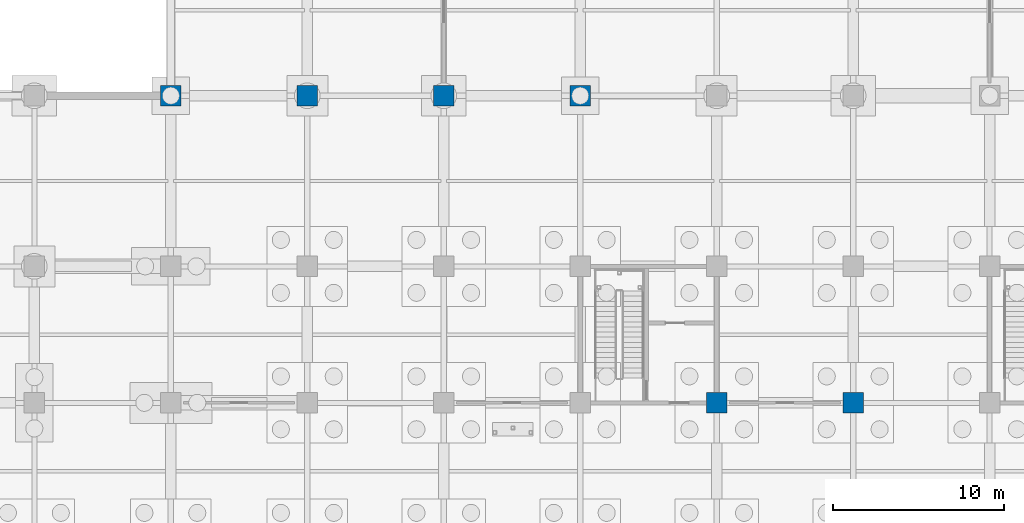
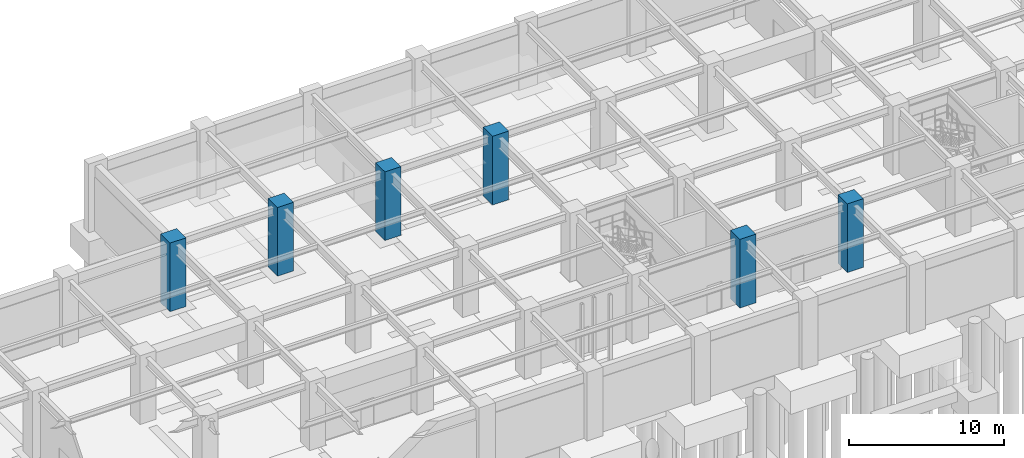
# One storey, part 53 of 97: 6 columns.
"""IFC4 building model written with IfcOpenShell, lengths in metres."""

import ifcopenshell
import ifcopenshell.guid

model = None  # the IFC model being written
_history = None  # IfcOwnerHistory: only IFC2X3 demands one
_inside = {}  # id of a spatial element -> (the spatial element, [elements in it])
_under = {}  # id of a project, library or spatial element -> (it, [spatial elements below it])
_declared = {}  # id of a project -> (the project, [libraries it declares])
_typed = {}  # id of a type object -> (the type object, [elements of that type])
_made_of = {}  # id of a material, layer set ... -> (it, [elements and type objects made of it])


def new_model(schema):
    """Start an empty IFC model of exactly this schema.

    Asked for "IFC4X3", IfcOpenShell would pick the latest addendum, in which some entities
    have other attributes; the version numbers below select the first issue.
    IFC2X3 requires an IfcOwnerHistory on every rooted entity: one is made here for all.
    """
    global model, _history
    if schema == "IFC4X3":
        model = ifcopenshell.file(schema_version=(4, 3, 0, 0))
    else:
        model = ifcopenshell.file(schema=schema)
    _inside.clear()
    _under.clear()
    _declared.clear()
    _typed.clear()
    _made_of.clear()
    _history = None
    if model.schema == "IFC2X3":
        org = make("IfcOrganization", Name="unknown")
        user = make(
            "IfcPersonAndOrganization",
            ThePerson=make("IfcPerson", FamilyName="unknown"),
            TheOrganization=org,
        )
        app = make(
            "IfcApplication",
            ApplicationDeveloper=org,
            Version="unknown",
            ApplicationFullName="unknown",
            ApplicationIdentifier="unknown",
        )
        _history = make(
            "IfcOwnerHistory",
            OwningUser=user,
            OwningApplication=app,
            ChangeAction="ADDED",
            CreationDate=0,
        )
    return model


def make(cls, **values):
    """One entity of the class cls with the attributes given. An attribute that is None is left unset."""
    return model.create_entity(
        cls, **{name: value for name, value in values.items() if value is not None}
    )


def rooted(cls, **values):
    """An entity with a GlobalId (a new one), such as an element, a storey or a relation."""
    return make(cls, GlobalId=ifcopenshell.guid.new(), OwnerHistory=_history, **values)


def si_unit(unit_type, name, prefix=None):
    """IfcSIUnit, for example si_unit("LENGTHUNIT", "METRE", prefix="MILLI")."""
    return make("IfcSIUnit", UnitType=unit_type, Prefix=prefix, Name=name)


def assignment(units):
    """IfcUnitAssignment: the units of a project."""
    return None if units is None else make("IfcUnitAssignment", Units=units)


def point(xyz):
    """IfcCartesianPoint."""
    return None if xyz is None else make("IfcCartesianPoint", Coordinates=xyz)


def direction(xyz):
    """IfcDirection."""
    return None if xyz is None else make("IfcDirection", DirectionRatios=xyz)


def frame(location, z_axis=None, x_axis=None):
    """IfcAxis2Placement3D, a coordinate frame: its origin and axes. An axis left out is left unset."""
    return make(
        "IfcAxis2Placement3D",
        Location=point(location),
        Axis=direction(z_axis),
        RefDirection=direction(x_axis),
    )


def frame_2d(location, x_axis=None):
    """IfcAxis2Placement2D, a coordinate frame in the plane: its origin and x axis."""
    return make(
        "IfcAxis2Placement2D", Location=point(location), RefDirection=direction(x_axis)
    )


def origin():
    """The frame at (0, 0, 0) with its axes left unset."""
    return frame((0.0, 0.0, 0.0))


def origin_2d():
    """The frame at (0, 0) in the plane with its x axis left unset."""
    return frame_2d((0.0, 0.0))


def place(relative_to, where):
    """IfcLocalPlacement: puts the frame where relative to a parent placement (None: the world)."""
    return make(
        "IfcLocalPlacement", PlacementRelTo=relative_to, RelativePlacement=where
    )


def context(
    kind, dimensions, precision=None, world=None, true_north=None, identifier=None
):
    """IfcGeometricRepresentationContext, for example the 3D "Model" context."""
    return make(
        "IfcGeometricRepresentationContext",
        ContextIdentifier=identifier,
        ContextType=kind,
        CoordinateSpaceDimension=dimensions,
        Precision=precision,
        WorldCoordinateSystem=world,
        TrueNorth=true_north,
    )


def subcontext(parent, identifier, kind, view, scale=None):
    """IfcGeometricRepresentationSubContext, for example "Body" below "Model"."""
    return make(
        "IfcGeometricRepresentationSubContext",
        ContextIdentifier=identifier,
        ContextType=kind,
        ParentContext=parent,
        TargetScale=scale,
        TargetView=view,
    )


def project(units=None, contexts=None):
    """IfcProject with its units and contexts."""
    return rooted(
        "IfcProject",
        Name="project",
        RepresentationContexts=contexts,
        UnitsInContext=assignment(units),
    )


def spatial(cls, under=None, at=None, **own):
    """A site, building, storey or space (cls), placed at a placement, below another one or the project."""
    s = rooted(cls, ObjectPlacement=at, **own)
    if under is not None:
        _under.setdefault(under.id(), (under, []))[1].append(s)
    return s


def profile(cls, at=None, kind="AREA", **sizes):
    """A parametric profile (cls). Its sizes go by their IFC names, for example OverallWidth=200.0."""
    return make(cls, ProfileType=kind, Position=at, **sizes)


def rectangle(**sizes):
    """IfcRectangleProfileDef."""
    return profile("IfcRectangleProfileDef", **sizes)


def extrude(swept, where, along, depth):
    """IfcExtrudedAreaSolid: the profile swept, set in the frame where, extruded along a direction by depth."""
    return make(
        "IfcExtrudedAreaSolid",
        SweptArea=swept,
        Position=where,
        ExtrudedDirection=direction(along),
        Depth=depth,
    )


def shape(context_of_items, identifier, shape_type, items):
    """IfcShapeRepresentation: the items that make up one representation, for example the "Body"."""
    return make(
        "IfcShapeRepresentation",
        ContextOfItems=context_of_items,
        RepresentationIdentifier=identifier,
        RepresentationType=shape_type,
        Items=items,
    )


def material(Name=None, Category=None):
    """IfcMaterial."""
    return make("IfcMaterial", Name=Name, Category=Category)


def material_profile(
    of_material, cross_section, Name=None, Category=None, Priority=None
):
    """IfcMaterialProfile: a cross section and its material."""
    return make(
        "IfcMaterialProfile",
        Name=Name,
        Material=of_material,
        Profile=cross_section,
        Priority=Priority,
        Category=Category,
    )


def profile_set(profiles, Name=None, composite=None):
    """IfcMaterialProfileSet."""
    return make(
        "IfcMaterialProfileSet",
        Name=Name,
        MaterialProfiles=profiles,
        CompositeProfile=composite,
    )


def made_of(thing, what):
    """Note that an element or type object is made of a material, layer set ...; save() writes the relation."""
    if what is not None:
        _made_of.setdefault(what.id(), (what, []))[1].append(thing)
    return thing


def type_object(cls, material=None, **own):
    """A type object (cls), such as IfcWallType, which elements share."""
    return made_of(rooted(cls, **own), material)


def element(
    cls,
    number,
    at=None,
    inside=None,
    cuts=None,
    type_object=None,
    material=None,
    context=None,
    identifier="Body",
    shape_type=None,
    held_by="IfcProductDefinitionShape",
    body=None,
    shapes=None,
    **own,
):
    """One element of the class cls, such as IfcWall. Its Tag is "e" and its number.

    at: its placement. inside: the storey or other place that contains it. cuts: it is an
    opening in that element (IfcRelVoidsElement). A single representation is given by context,
    identifier, shape_type and body (its items); several are given by shapes. held_by: the class
    of the entity that holds the representations. save() writes the other relations.
    """
    e = rooted(cls, Tag="e%d" % number, ObjectPlacement=at, **own)
    if body is not None:
        shapes = [shape(context, identifier, shape_type, body)]
    if shapes is not None:
        e.Representation = make(held_by, Representations=shapes)
    if inside is not None:
        _inside.setdefault(inside.id(), (inside, []))[1].append(e)
    if cuts is not None:
        rooted(
            "IfcRelVoidsElement", RelatingBuildingElement=cuts, RelatedOpeningElement=e
        )
    if type_object is not None:
        _typed.setdefault(type_object.id(), (type_object, []))[1].append(e)
    return made_of(e, material)


def aggregate(whole, parts):
    """IfcRelAggregates: a whole, such as a stair, and the parts it consists of."""
    return rooted("IfcRelAggregates", RelatingObject=whole, RelatedObjects=parts)


def save(model, path):
    """Write the relations noted so far, then the file.

    IfcRelAggregates (storeys below a building ...), IfcRelContainedInSpatialStructure (elements
    in a storey), IfcRelDefinesByType, IfcRelAssociatesMaterial and IfcRelDeclares: one each for
    every whole, place, type object, material and project.
    """
    for whole, parts in _under.values():
        aggregate(whole, parts)
    for where, things in _inside.values():
        rooted(
            "IfcRelContainedInSpatialStructure",
            RelatedElements=things,
            RelatingStructure=where,
        )
    for kind, things in _typed.values():
        rooted("IfcRelDefinesByType", RelatedObjects=things, RelatingType=kind)
    for what, things in _made_of.values():
        rooted("IfcRelAssociatesMaterial", RelatedObjects=things, RelatingMaterial=what)
    for by, libraries in _declared.values():
        rooted("IfcRelDeclares", RelatingContext=by, RelatedDefinitions=libraries)
    model.write(path)


model = new_model("IFC4")

# Units and contexts
model_context = context("Model", 3, precision=1e-05, world=origin(), true_north=direction((0.0, 1.0)))
body_context = subcontext(model_context, "Body", "Model", "MODEL_VIEW")
ifc_project = project(units=[si_unit("LENGTHUNIT", "METRE"), si_unit("AREAUNIT", "SQUARE_METRE"), si_unit("VOLUMEUNIT", "CUBIC_METRE"), si_unit("PLANEANGLEUNIT", "RADIAN"), si_unit("MASSUNIT", "GRAM", prefix="KILO")], contexts=[model_context])

# Site, building, storey
site_placement = place(None, origin())
site = spatial("IfcSite", under=ifc_project, at=site_placement, CompositionType="ELEMENT")
building_placement = place(site_placement, origin())
building = spatial("IfcBuilding", under=site, at=building_placement, Name="Haebicheon Civic Stadium", CompositionType="ELEMENT")
storey_placement = place(building_placement, frame((0.0, 0.0, -5.39990234375)))
storey = spatial("IfcBuildingStorey", under=building, at=storey_placement, Name="B1", CompositionType="ELEMENT", Elevation=-5.39990234375)

# Columns
ifc_material = material(Name="Concrete C40/50", Category="concrete")
ifc_material_profile = material_profile(ifc_material, rectangle(XDim=1.199951171875, YDim=1.199951171875, at=origin_2d()), Name="RC-COL-1200x1200")
ifc_profile_set = profile_set([ifc_material_profile], Name="Concrete C40/50")
column_type = type_object("IfcColumnType", Name="COL-RC-1200", PredefinedType="COLUMN", material=ifc_profile_set)
for number, where, z_axis, x_axis, name in (
    (1, (64.0, 178.0, 0.0), (0.0, 0.0, 1.0), (1.0, 0.0, 0.0), "B1 column 9/Y"),
    (2, (72.0, 178.0, 0.0), (0.0, 0.0, 1.0), (1.0, 0.0, 0.0), "B1 column 10/Y"),
    (3, (80.0, 178.0, 0.0), (0.0, 0.0, 1.0), (1.0, 0.0, 0.0), "B1 column 11/Y"),
    (4, (88.0, 178.0, 0.0), (0.0, 0.0, 1.0), (1.0, 0.0, 0.0), "B1 column 12/Y"),
    (5, (96.0, 160.0, 0.0), (0.0, 0.0, 1.0), (1.0, 0.0, 0.0), "B1 column 13/W"),
    (6, (104.0, 160.0, 0.0), (0.0, 0.0, 1.0), (1.0, 0.0, 0.0), "B1 column 14/W"),
):
    element("IfcColumn", number, at=place(storey_placement, frame(where, z_axis=z_axis, x_axis=x_axis)), inside=storey, type_object=column_type, material=ifc_profile_set, Name=name, PredefinedType="COLUMN", context=body_context, shape_type="SweptSolid", body=[
        extrude(rectangle(XDim=1.199951171875, YDim=1.199951171875, at=origin_2d()), origin(), (0.0, 0.0, 1.0), 5.39990234375),
    ])

save(model, "model.ifc")
